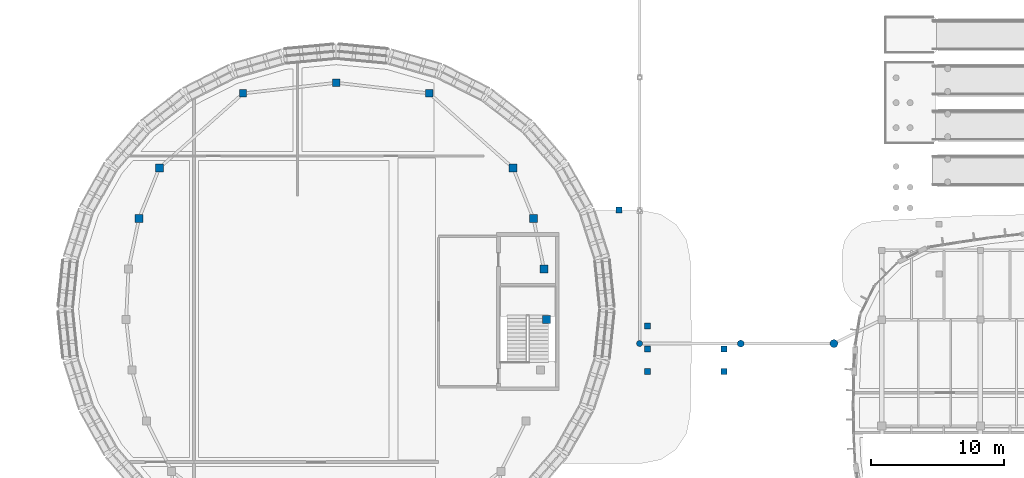
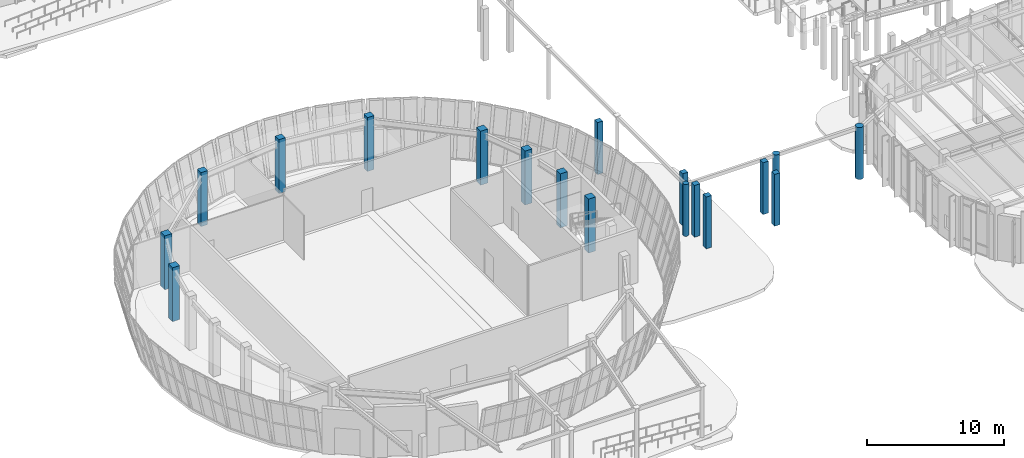
# One storey, part 2 of 120: 18 columns.
"""IFC4 building model written with IfcOpenShell, lengths in metres."""

from ifc_helpers import new_model, si_unit, direction, frame, origin, origin_2d, place, context, subcontext, project, spatial, rectangle, circle, extrude, material, material_profile, profile_set, type_object, element, save


model = new_model("IFC4")

# Units and contexts
model_context = context("Model", 3, precision=1e-05, world=origin(), true_north=direction((0.0, 1.0)))
body_context = subcontext(model_context, "Body", "Model", "MODEL_VIEW")
ifc_project = project(units=[si_unit("LENGTHUNIT", "METRE"), si_unit("AREAUNIT", "SQUARE_METRE"), si_unit("VOLUMEUNIT", "CUBIC_METRE"), si_unit("PLANEANGLEUNIT", "RADIAN"), si_unit("MASSUNIT", "GRAM", prefix="KILO")], contexts=[model_context])

# Site, building, storey
site_placement = place(None, origin())
site = spatial("IfcSite", under=ifc_project, at=site_placement, CompositionType="ELEMENT")
building_placement = place(site_placement, origin())
building = spatial("IfcBuilding", under=site, at=building_placement, Name="Corveleigh Park Community Centre", CompositionType="ELEMENT")
storey_placement = place(building_placement, origin())
storey = spatial("IfcBuildingStorey", under=building, at=storey_placement, Name="L00", CompositionType="ELEMENT", Elevation=0.0)

# Columns
ifc_material = material(Name="Concrete C40/50", Category="concrete")
ifc_material_profile_1 = material_profile(ifc_material, rectangle(XDim=0.449951171875, YDim=0.449951171875, at=origin_2d()), Name="RC-450x450", Category="concrete")
ifc_profile_set_1 = profile_set([ifc_material_profile_1], Name="Concrete C40/50")
column_type_1 = type_object("IfcColumnType", Name="COL-RC-450x450", PredefinedType="COLUMN", material=ifc_profile_set_1)
for number, where, z_axis, x_axis, name in (
    (1, (54.39697265625, 22.89306640625, 0.0), (0.0, 0.0, 1.0), (1.0, 0.0, 0.0), "External deck support pier 210 L00"),
    (2, (54.39697265625, 24.60009765625, 0.0), (0.0, 0.0, 1.0), (1.0, 0.0, 0.0), "External deck support pier 211 L00"),
    (3, (54.39697265625, 26.306884765625, 0.0), (0.0, 0.0, 1.0), (1.0, 0.0, 0.0), "External deck support pier 212 L00"),
    (4, (60.155029296875, 22.89306640625, 0.0), (0.0, 0.0, 1.0), (1.0, 0.0, 0.0), "External deck support pier 213 L00"),
    (5, (60.155029296875, 24.60009765625, 0.0), (0.0, 0.0, 1.0), (1.0, 0.0, 0.0), "External deck support pier 214 L00"),
    (6, (52.260986328125, 35.0380859375, 0.0), (0.0, 0.0, 1.0), (1.0, 0.0, 0.0), "External deck support pier 215 L00"),
):
    element("IfcColumn", number, at=place(storey_placement, frame(where, z_axis=z_axis, x_axis=x_axis)), inside=storey, type_object=column_type_1, Name=name, PredefinedType="COLUMN", context=body_context, shape_type="SweptSolid", body=[
        extrude(rectangle(XDim=0.449951171875, YDim=0.449951171875, at=origin_2d()), origin(), (0.0, 0.0, 1.0), 4.615966796875),
    ])
ifc_material_profile_2 = material_profile(ifc_material, rectangle(XDim=0.550048828125, YDim=0.550048828125, at=origin_2d()), Name="RC-550x550", Category="concrete")
ifc_profile_set_2 = profile_set([ifc_material_profile_2], Name="Concrete C40/50")
column_type_2 = type_object("IfcColumnType", Name="COL-RC-550x550", PredefinedType="COLUMN", material=ifc_profile_set_2)
for number, where, z_axis, x_axis, name in (
    (7, (24.0, 43.800048828125, 0.0), (0.0, 0.0, 1.0), (1.0, 0.0, 0.0), "Column V1-N1 L00"),
    (8, (31.0, 44.60009765625, 0.0), (0.0, 0.0, 1.0), (1.0, 0.0, 0.0), "Column V1-N2 L00"),
    (9, (38.0, 43.800048828125, 0.0), (0.0, 0.0, 1.0), (1.0, 0.0, 0.0), "Column V1-N3 L00"),
):
    element("IfcColumn", number, at=place(storey_placement, frame(where, z_axis=z_axis, x_axis=x_axis)), inside=storey, type_object=column_type_2, Name=name, PredefinedType="COLUMN", context=body_context, shape_type="SweptSolid", body=[
        extrude(rectangle(XDim=0.550048828125, YDim=0.550048828125, at=origin_2d()), origin(), (0.0, 0.0, 1.0), 4.800048828125),
    ])
ifc_material_profile_3 = material_profile(ifc_material, rectangle(XDim=0.60009765625, YDim=0.60009765625, at=origin_2d()), Name="RC-600x600", Category="concrete")
ifc_profile_set_3 = profile_set([ifc_material_profile_3], Name="Concrete C40/50")
column_type_3 = type_object("IfcColumnType", Name="COL-RC-600x600", PredefinedType="COLUMN", material=ifc_profile_set_3)
for number, where, z_axis, x_axis, name in (
    (10, (46.787109375, 26.800048828125, 0.0), (0.0, 0.0, 1.0), (1.0, 0.0, 0.0), "Column V1-E4 L00"),
    (11, (46.614013671875, 30.60009765625, 0.0), (0.0, 0.0, 1.0), (1.0, 0.0, 0.0), "Column V1-E5 L00"),
    (12, (16.180908203125, 34.39990234375, 0.0), (0.0, 0.0, 1.0), (1.0, 0.0, 0.0), "Column V1-W6 L00"),
    (13, (45.819091796875, 34.39990234375, 0.0), (0.0, 0.0, 1.0), (1.0, 0.0, 0.0), "Column V1-E6 L00"),
    (14, (17.7099609375, 38.199951171875, 0.0), (0.0, 0.0, 1.0), (1.0, 0.0, 0.0), "Column V1-W7 L00"),
    (15, (44.2900390625, 38.199951171875, 0.0), (0.0, 0.0, 1.0), (1.0, 0.0, 0.0), "Column V1-E7 L00"),
):
    element("IfcColumn", number, at=place(storey_placement, frame(where, z_axis=z_axis, x_axis=x_axis)), inside=storey, type_object=column_type_3, Name=name, PredefinedType="COLUMN", context=body_context, shape_type="SweptSolid", body=[
        extrude(rectangle(XDim=0.60009765625, YDim=0.60009765625, at=origin_2d()), origin(), (0.0, 0.0, 1.0), 4.800048828125),
    ])
ifc_material_profile_4 = material_profile(ifc_material, circle(Radius=0.22509765625, at=origin_2d()), Name="RC-450D", Category="concrete")
ifc_profile_set_4 = profile_set([ifc_material_profile_4], Name="Concrete C40/50")
column_type_4 = type_object("IfcColumnType", Name="COL-RCE-450D", PredefinedType="COLUMN", material=ifc_profile_set_4)
column_1_placement = place(storey_placement, frame((53.800048828125, 25.0, 0.0), z_axis=(0.0, 0.0, 1.0), x_axis=(1.0, 0.0, 0.0)))
element("IfcColumn", 16, at=column_1_placement, inside=storey, type_object=column_type_4, Name="Column V5-S1 L00", PredefinedType="COLUMN", context=body_context, shape_type="SweptSolid", body=[
    extrude(circle(Radius=0.22509765625, at=origin_2d()), origin(), (0.0, 0.0, 1.0), 4.60791015625),
])
ifc_material_profile_5 = material_profile(ifc_material, circle(Radius=0.260009765625, at=origin_2d()), Name="RC-520D", Category="concrete")
ifc_profile_set_5 = profile_set([ifc_material_profile_5], Name="Concrete C40/50")
column_type_5 = type_object("IfcColumnType", Name="COL-RCE-520D", PredefinedType="COLUMN", material=ifc_profile_set_5)
column_2_placement = place(storey_placement, frame((61.39990234375, 25.0, 0.0), z_axis=(0.0, 0.0, 1.0), x_axis=(1.0, 0.0, 0.0)))
element("IfcColumn", 17, at=column_2_placement, inside=storey, type_object=column_type_5, Name="Column V5-S2 L00", PredefinedType="COLUMN", context=body_context, shape_type="SweptSolid", body=[
    extrude(circle(Radius=0.260009765625, at=origin_2d()), origin(), (0.0, 0.0, 1.0), 4.60791015625),
])
ifc_material_profile_6 = material_profile(ifc_material, circle(Radius=0.300048828125, at=origin_2d()), Name="RC-600D", Category="concrete")
ifc_profile_set_6 = profile_set([ifc_material_profile_6], Name="Concrete C40/50")
column_type_6 = type_object("IfcColumnType", Name="COL-RCE-600D", PredefinedType="COLUMN", material=ifc_profile_set_6)
column_3_placement = place(storey_placement, frame((68.39990234375, 25.0, 0.0), z_axis=(0.0, 0.0, 1.0), x_axis=(1.0, 0.0, 0.0)))
element("IfcColumn", 18, at=column_3_placement, inside=storey, type_object=column_type_6, Name="Column V5-S3 L00", PredefinedType="COLUMN", context=body_context, shape_type="SweptSolid", body=[
    extrude(circle(Radius=0.300048828125, at=origin_2d()), origin(), (0.0, 0.0, 1.0), 4.60791015625),
])

save(model, "model.ifc")
